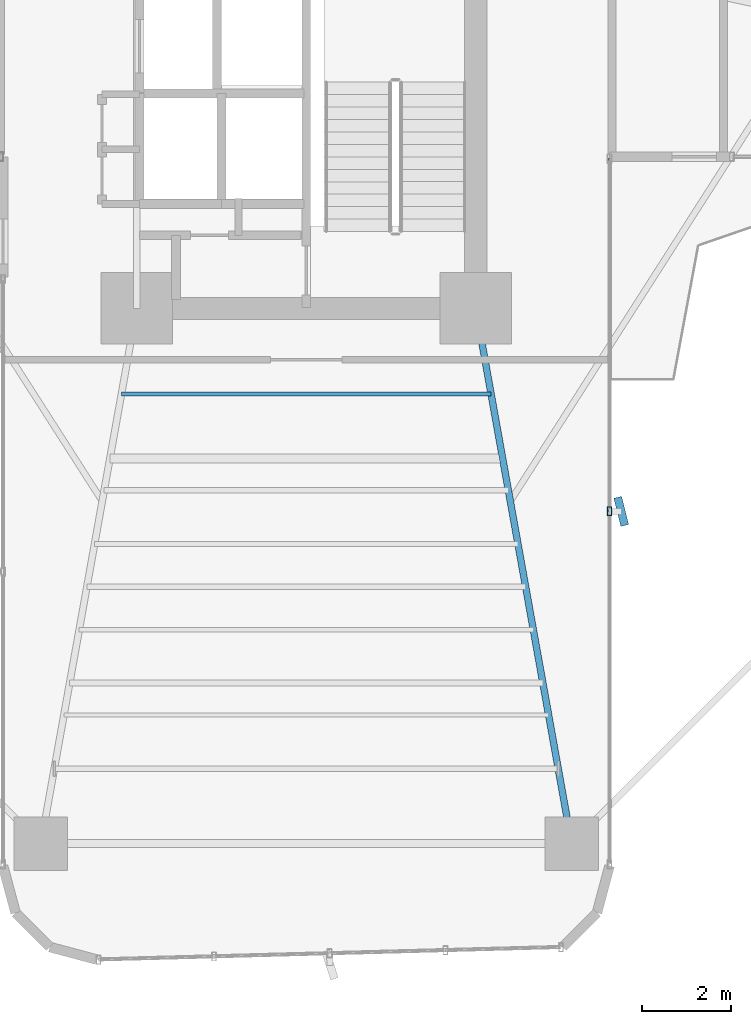
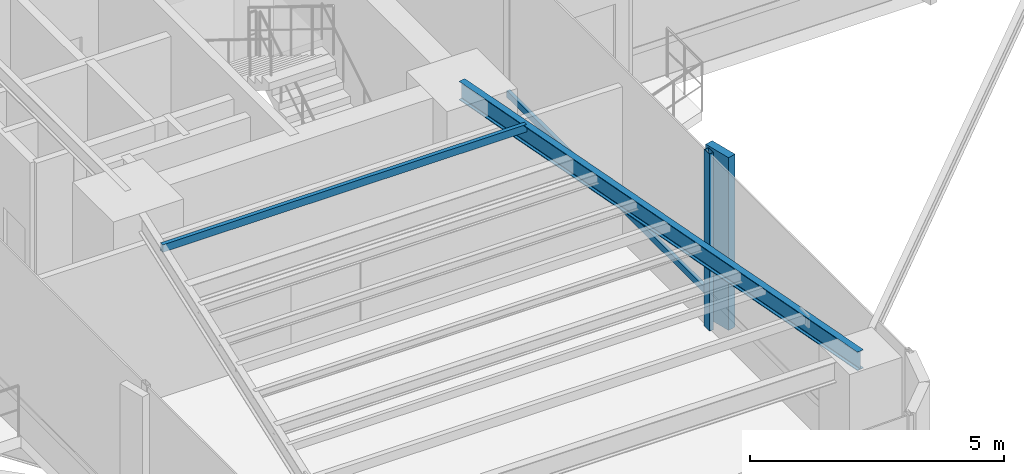
# One storey, part 4 of 20: 3 members, 2 beams, 1 element without a shape of its own.
"""IFC4 building model written with IfcOpenShell, lengths in metres."""

from ifc_helpers import new_model, si_unit, direction, frame, origin, origin_2d, place, context, subcontext, project, spatial, rectangle, hollow_rectangle, i_section, extrude, source, transform, mapped, material, material_profile, profile_set, type_object, element, aggregate, save


model = new_model("IFC4")

# Units and contexts
model_context = context("Model", 3, precision=1e-05, world=origin(), true_north=direction((0.0, 1.0)))
body_context = subcontext(model_context, "Body", "Model", "MODEL_VIEW")
ifc_project = project(units=[si_unit("LENGTHUNIT", "METRE"), si_unit("AREAUNIT", "SQUARE_METRE"), si_unit("VOLUMEUNIT", "CUBIC_METRE"), si_unit("PLANEANGLEUNIT", "RADIAN"), si_unit("MASSUNIT", "GRAM", prefix="KILO")], contexts=[model_context])

# Site, building, storey
site_placement = place(None, origin())
site = spatial("IfcSite", under=ifc_project, at=site_placement, CompositionType="ELEMENT")
building_placement = place(site_placement, origin())
building = spatial("IfcBuilding", under=site, at=building_placement, Name="Sahyath Konkavel Grand Hotel", CompositionType="ELEMENT")
storey_placement = place(building_placement, frame((0.0, 0.0, 46.550048828125)))
storey = spatial("IfcBuildingStorey", under=building, at=storey_placement, Name="L12", CompositionType="ELEMENT", Elevation=46.550048828125)

# Beams
ifc_material_1 = material(Name="Steel E350", Category="steel")
ifc_material_profile_1 = material_profile(ifc_material_1, i_section(OverallWidth=0.14990234375, OverallDepth=0.449951171875, WebThickness=0.009521484375, FlangeThickness=0.017333984375, FilletRadius=0.014892578125, at=origin_2d()), Name="ISMB 450")
ifc_profile_set_1 = profile_set([ifc_material_profile_1], Name="Steel E350")
beam_type_1 = type_object("IfcBeamType", Name="BM-ISMB450", PredefinedType="BEAM", material=ifc_profile_set_1)
shared_shape_1 = source(origin(), body_context, "Body", "SweptSolid", [
    extrude(i_section(OverallWidth=0.14990234375, OverallDepth=0.449951171875, WebThickness=0.009521484375, FlangeThickness=0.017333984375, FilletRadius=0.014892578125, at=origin_2d()), origin(), (0.0, 0.0, 1.0), 12.191162109375),
])
beam_1_placement = place(storey_placement, frame((3.800048828125, -10.199951171875, 4.034912109375), z_axis=(0.176350650305, -0.984327409014, 0.0), x_axis=(0.984327409014, 0.176350650305, 0.0)))
element("IfcBeam", 1, at=beam_1_placement, inside=storey, type_object=beam_type_1, Name="L12 Cruciform Radial Girder SB", PredefinedType="BEAM", context=body_context, shape_type="MappedRepresentation", body=[
    mapped(shared_shape_1, transform((0.0, 0.0, 0.0), scale=1.0)),
])
ifc_material_profile_2 = material_profile(ifc_material_1, hollow_rectangle(XDim=0.090087890625, YDim=0.179931640625, WallThickness=0.008056640625, at=origin_2d()), Name="RHS 180x90x8")
ifc_profile_set_2 = profile_set([ifc_material_profile_2], Name="Steel E350")
beam_type_2 = type_object("IfcBeamType", Name="BM-RHS180", PredefinedType="BEAM", material=ifc_profile_set_2)
shared_shape_2 = source(origin(), body_context, "Body", "SweptSolid", [
    extrude(hollow_rectangle(XDim=0.090087890625, YDim=0.179931640625, WallThickness=0.008056640625, at=origin_2d()), origin(), (0.0, 0.0, 1.0), 8.2880859375),
])
beam_2_placement = place(storey_placement, frame((-4.14404296875, -12.1201171875, 4.169921875), z_axis=(1.0, 0.0, 0.0), x_axis=(0.0, 1.0, 0.0)))
element("IfcBeam", 2, at=beam_2_placement, inside=storey, type_object=beam_type_2, Name="L12 Composite Deck Sub-Beam S-1", PredefinedType="BEAM", context=body_context, shape_type="MappedRepresentation", body=[
    mapped(shared_shape_2, transform((0.0, 0.0, 0.0), scale=1.0)),
])

# Curtain wall, members
ifc_material_2 = material(Name="Anodised Bronze Aluminium & Low-E Glazing", Category="aluminium")
curtain_wall_type = type_object("IfcCurtainWallType", Name="CW-SKYLOBBY", PredefinedType="NOTDEFINED", material=ifc_material_2)
curtain_wall_placement = place(storey_placement, origin())
curtain_wall = element("IfcCurtainWall", 3, at=curtain_wall_placement, inside=storey, type_object=curtain_wall_type, Name="L12 Unitised Curtain Wall F31", PredefinedType="NOTDEFINED")
ifc_material_3 = material(Name="Anodised Bronze Aluminium", Category="aluminium")
ifc_material_profile_3 = material_profile(ifc_material_3, hollow_rectangle(XDim=0.10009765625, YDim=0.199951171875, WallThickness=0.008056640625, at=origin_2d()), Name="RHS 200x100x8")
ifc_profile_set_3 = profile_set([ifc_material_profile_3], Name="Anodised Bronze Aluminium")
member_type_1 = type_object("IfcMemberType", Name="CW-MUL-200", PredefinedType="MULLION", material=ifc_profile_set_3)
shared_shape_3 = source(origin(), body_context, "Body", "SweptSolid", [
    extrude(hollow_rectangle(XDim=0.10009765625, YDim=0.199951171875, WallThickness=0.008056640625, at=origin_2d()), origin(), (0.0, 0.0, 1.0), 4.260009765625),
])
member_1_placement = place(storey_placement, frame((6.800048828125, -14.75, 0.0), z_axis=(0.0, 0.0, 1.0), x_axis=(1.0, 0.0, 0.0)))
member_1 = element("IfcMember", 4, at=member_1_placement, type_object=member_type_1, Name="L12 Curtain Wall Mullion F31-1", PredefinedType="MULLION", context=body_context, shape_type="MappedRepresentation", body=[
    mapped(shared_shape_3, transform((0.0, 0.0, 0.0), scale=1.0)),
])
ifc_material_profile_4 = material_profile(ifc_material_3, hollow_rectangle(XDim=0.080078125, YDim=0.159912109375, WallThickness=0.006103515625, at=origin_2d()), Name="RHS 160x80x6")
ifc_profile_set_4 = profile_set([ifc_material_profile_4], Name="Anodised Bronze Aluminium")
member_type_2 = type_object("IfcMemberType", Name="CW-TRN-160", PredefinedType="USERDEFINED", material=ifc_profile_set_4)
shared_shape_4 = source(origin(), body_context, "Body", "SweptSolid", [
    extrude(hollow_rectangle(XDim=0.080078125, YDim=0.159912109375, WallThickness=0.006103515625, at=origin_2d()), origin(), (0.0, 0.0, 1.0), 7.909912109375),
])
member_2_placement = place(storey_placement, frame((6.800048828125, -14.75, 0.849853515625), z_axis=(0.0, 1.0, 0.0), x_axis=(-1.0, 0.0, 0.0)))
member_2 = element("IfcMember", 5, at=member_2_placement, type_object=member_type_2, Name="L12 Curtain Wall Transom F31-1-spandrel", ObjectType="TRANSOM", PredefinedType="USERDEFINED", context=body_context, shape_type="MappedRepresentation", body=[
    mapped(shared_shape_4, transform((0.0, 0.0, 0.0), scale=1.0)),
])
ifc_material_4 = material(Name="Warm Buff Sandstone Cladding on Concrete C50/60", Category="masonry")
ifc_material_profile_5 = material_profile(ifc_material_4, rectangle(XDim=0.179931640625, YDim=0.64990234375, at=origin_2d()), Name="FIN 180x650")
ifc_profile_set_5 = profile_set([ifc_material_profile_5], Name="Warm Buff Sandstone Cladding on Concrete C50/60")
member_type_3 = type_object("IfcMemberType", Name="FIN-SANDSTONE-650", PredefinedType="MULLION", material=ifc_profile_set_5)
shared_shape_5 = source(origin(), body_context, "Body", "SweptSolid", [
    extrude(rectangle(XDim=0.179931640625, YDim=0.64990234375, at=origin_2d()), origin(), (0.0, 0.0, 1.0), 4.159912109375),
])
member_3_placement = place(storey_placement, frame((7.06005859375, -14.75, 0.050048828125), z_axis=(0.0, 0.0, 1.0), x_axis=(0.970084240161, 0.242768546132, 0.0)))
member_3 = element("IfcMember", 6, at=member_3_placement, type_object=member_type_3, Name="L12 Sandstone Vertical Solar Fin FIN F31-1", PredefinedType="MULLION", context=body_context, shape_type="MappedRepresentation", body=[
    mapped(shared_shape_5, transform((0.0, 0.0, 0.0), scale=1.0)),
])
aggregate(curtain_wall, [member_1, member_3, member_2])

save(model, "model.ifc")
